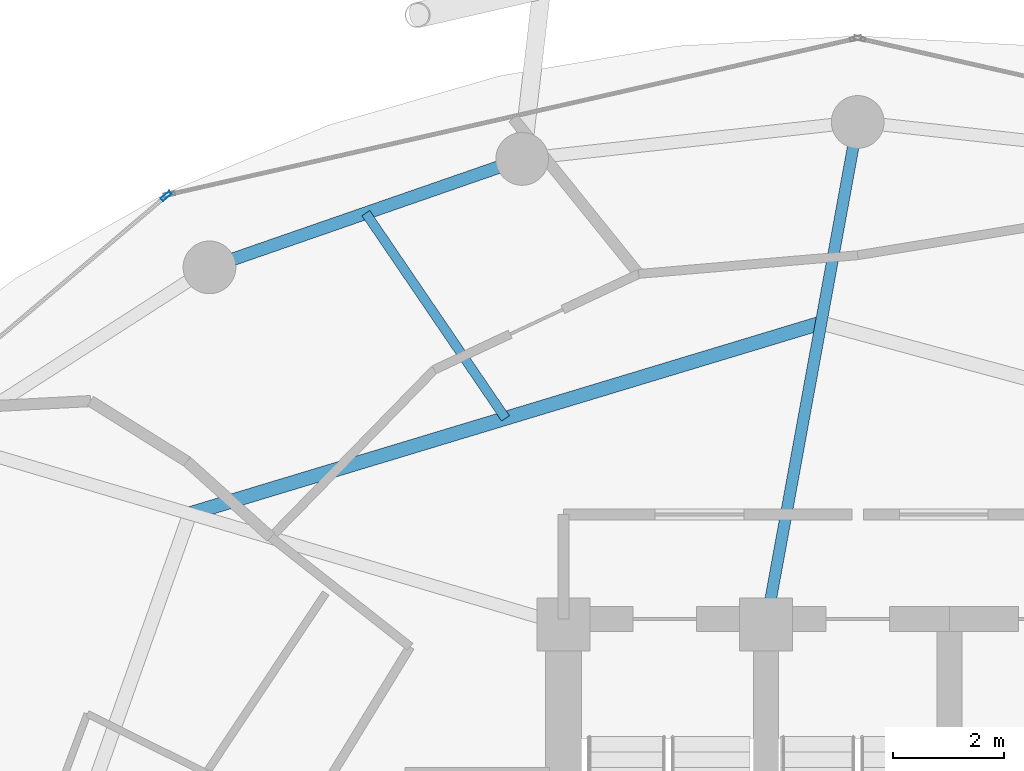
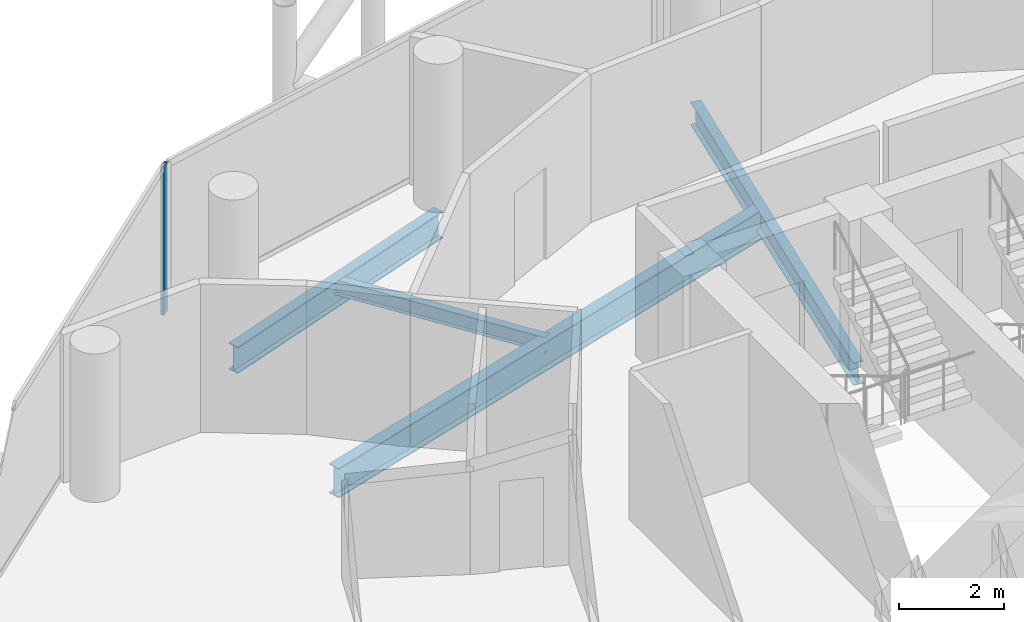
# One storey, part 15 of 26: 4 beams, 1 member, 1 element without a shape of its own.
"""IFC4 building model written with IfcOpenShell, lengths in metres."""

from ifc_helpers import new_model, si_unit, direction, frame, origin, origin_2d, place, context, subcontext, project, spatial, hollow_rectangle, i_section, extrude, material, layer, layer_set, material_profile, profile_set, type_object, element, aggregate, save


model = new_model("IFC4")

# Units and contexts
model_context = context("Model", 3, precision=1e-05, world=origin(), true_north=direction((0.0, 1.0)))
body_context = subcontext(model_context, "Body", "Model", "MODEL_VIEW")
ifc_project = project(units=[si_unit("LENGTHUNIT", "METRE"), si_unit("AREAUNIT", "SQUARE_METRE"), si_unit("VOLUMEUNIT", "CUBIC_METRE"), si_unit("PLANEANGLEUNIT", "RADIAN"), si_unit("MASSUNIT", "GRAM", prefix="KILO")], contexts=[model_context])

# Site, building, storey
site_placement = place(None, origin())
site = spatial("IfcSite", under=ifc_project, at=site_placement, CompositionType="ELEMENT")
building_placement = place(site_placement, origin())
building = spatial("IfcBuilding", under=site, at=building_placement, Name="Nuhasar Tower", CompositionType="ELEMENT")
storey_placement = place(building_placement, frame((0.0, 0.0, 188.550048828125)))
storey = spatial("IfcBuildingStorey", under=building, at=storey_placement, Name="L46", CompositionType="ELEMENT", Elevation=188.550048828125)

# Beams
ifc_material_1 = material(Name="Steel S355", Category="steel")
ifc_material_profile_1 = material_profile(ifc_material_1, i_section(OverallWidth=0.25390625, OverallDepth=0.68408203125, WebThickness=0.012451171875, FlangeThickness=0.018798828125, at=origin_2d()), Name="W27X94")
ifc_profile_set_1 = profile_set([ifc_material_profile_1], Name="Steel S355")
beam_type_1 = type_object("IfcBeamType", Name="BM-INRING-W27X94", PredefinedType="BEAM", material=ifc_profile_set_1)
beam_1_placement = place(storey_placement, frame((38.340087890625, 42.72998046875, -0.592041015625), z_axis=(-0.95722440557, -0.289346569673, 0.0), x_axis=(0.289346569673, -0.95722440557, 0.0)))
element("IfcBeam", 1, at=beam_1_placement, inside=storey, type_object=beam_type_1, Name="L46 Inner Header Beam 06", PredefinedType="BEAM", context=body_context, shape_type="SweptSolid", body=[
    extrude(i_section(OverallWidth=0.25390625, OverallDepth=0.68408203125, WebThickness=0.012451171875, FlangeThickness=0.018798828125, at=origin_2d()), origin(), (0.0, 0.0, 1.0), 11.875244140625),
])
ifc_material_profile_2 = material_profile(ifc_material_1, i_section(OverallWidth=0.1708984375, OverallDepth=0.35205078125, WebThickness=0.0068359375, FlangeThickness=0.009765625, at=origin_2d()), Name="W14X30")
ifc_profile_set_2 = profile_set([ifc_material_profile_2], Name="Steel S355")
beam_type_2 = type_object("IfcBeamType", Name="BM-JST-W14X30", PredefinedType="JOIST", material=ifc_profile_set_2)
beam_2_placement = place(storey_placement, frame((32.656982421875, 41.011962890625, -0.426025390625), z_axis=(-0.562802886474, 0.826591138941, 0.0), x_axis=(-0.826591138941, -0.562802886474, 0.0)))
element("IfcBeam", 2, at=beam_2_placement, inside=storey, type_object=beam_type_2, Name="L46 Secondary Floor Joist 06", PredefinedType="JOIST", context=body_context, shape_type="SweptSolid", body=[
    extrude(i_section(OverallWidth=0.1708984375, OverallDepth=0.35205078125, WebThickness=0.0068359375, FlangeThickness=0.009765625, at=origin_2d()), origin(), (0.0, 0.0, 1.0), 4.47021484375),
])
ifc_material_profile_3 = material_profile(ifc_material_1, i_section(OverallWidth=0.208984375, OverallDepth=0.532958984375, WebThickness=0.01025390625, FlangeThickness=0.015625, at=origin_2d()), Name="W21X62")
ifc_profile_set_3 = profile_set([ifc_material_profile_3], Name="Steel S355")
beam_type_3 = type_object("IfcBeamType", Name="BM-RAD-W21X62", PredefinedType="BEAM", material=ifc_profile_set_3)
beam_3_placement = place(storey_placement, frame((37.35009765625, 37.300048828125, -0.51611328125), z_axis=(0.179352509513, 0.983784873502, 0.0), x_axis=(-0.983784873502, 0.179352509513, 0.0)))
element("IfcBeam", 3, at=beam_3_placement, inside=storey, type_object=beam_type_3, Name="L46 Radial Floor Girder 06", PredefinedType="BEAM", context=body_context, shape_type="SweptSolid", body=[
    extrude(i_section(OverallWidth=0.208984375, OverallDepth=0.532958984375, WebThickness=0.01025390625, FlangeThickness=0.015625, at=origin_2d()), origin(), (0.0, 0.0, 1.0), 9.19921875),
])
ifc_material_profile_4 = material_profile(ifc_material_1, i_section(OverallWidth=0.22998046875, OverallDepth=0.616943359375, WebThickness=0.01318359375, FlangeThickness=0.022216796875, at=origin_2d()), Name="W24X94")
ifc_profile_set_4 = profile_set([ifc_material_profile_4], Name="Steel S355")
beam_type_4 = type_object("IfcBeamType", Name="BM-RING-W24X94", PredefinedType="SPANDREL", material=ifc_profile_set_4)
beam_4_placement = place(storey_placement, frame((32.95703125, 45.68408203125, -0.55810546875), z_axis=(-0.944801380051, -0.327643636066, 0.0), x_axis=(0.327643636066, -0.944801380051, 0.0)))
element("IfcBeam", 4, at=beam_4_placement, inside=storey, type_object=beam_type_4, Name="L46 Perimeter Ring Spandrel 08", PredefinedType="SPANDREL", context=body_context, shape_type="SweptSolid", body=[
    extrude(i_section(OverallWidth=0.22998046875, OverallDepth=0.616943359375, WebThickness=0.01318359375, FlangeThickness=0.022216796875, at=origin_2d()), origin(), (0.0, 0.0, 1.0), 5.961181640625),
])

# Curtain wall, member
ifc_material_2 = material(Name="Aluminium 6063-T6", Category="aluminium")
ifc_layer = layer(ifc_material_2, 0.199951171875)
ifc_layer_set = layer_set([ifc_layer], Name="Aluminium 6063-T6")
curtain_wall_type = type_object("IfcCurtainWallType", Name="CW-Z2-HTL", PredefinedType="NOTDEFINED", material=ifc_layer_set)
curtain_wall_placement = place(storey_placement, origin())
curtain_wall = element("IfcCurtainWall", 5, at=curtain_wall_placement, inside=storey, type_object=curtain_wall_type, Name="L46 Unitised Curtain Wall 05", PredefinedType="NOTDEFINED")
ifc_material_profile_5 = material_profile(ifc_material_2, hollow_rectangle(XDim=0.070068359375, YDim=0.199951171875, WallThickness=0.0048828125, at=origin_2d()), Name="CWM-3")
ifc_profile_set_5 = profile_set([ifc_material_profile_5], Name="Aluminium 6063-T6")
member_type = type_object("IfcMemberType", Name="CW-MUL-S3", PredefinedType="MULLION", material=ifc_profile_set_5)
member_placement = place(storey_placement, frame((26.543212890625, 45.015380859375, 0.0), z_axis=(0.0, 0.0, 1.0), x_axis=(0.646374438324, -0.763020370292, 0.0)))
member = element("IfcMember", 6, at=member_placement, type_object=member_type, Name="CW-Z2 mullion 1", PredefinedType="MULLION", context=body_context, shape_type="SweptSolid", body=[
    extrude(hollow_rectangle(XDim=0.070068359375, YDim=0.199951171875, WallThickness=0.0048828125, at=origin_2d()), origin(), (0.0, 0.0, 1.0), 3.449951171875),
])
aggregate(curtain_wall, [member])

save(model, "model.ifc")
